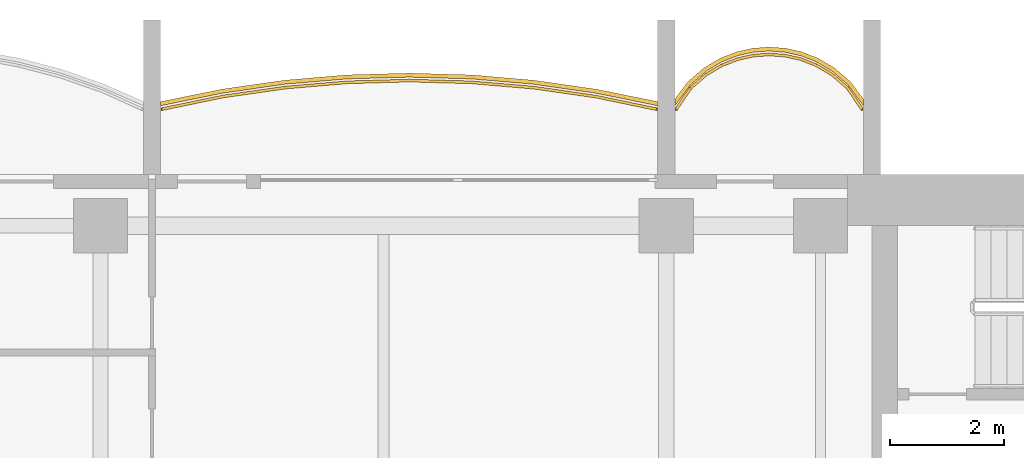
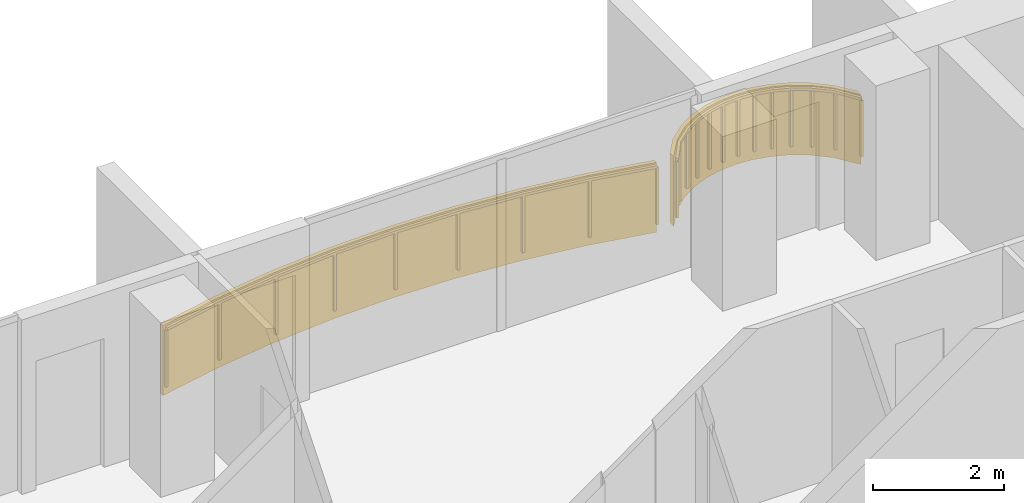
# One storey, part 17 of 17: 2 coverings, 2 railings.
"""IFC4 building model written with IfcOpenShell, lengths in metres."""

from ifc_helpers import new_model, si_unit, direction, frame, origin, origin_2d, place, context, subcontext, project, spatial, polyline, rectangle, outline, extrude, material, layer, layer_set, type_object, element, save


model = new_model("IFC4")

# Units and contexts
model_context = context("Model", 3, precision=1e-05, world=origin(), true_north=direction((0.0, 1.0)))
body_context = subcontext(model_context, "Body", "Model", "MODEL_VIEW")
ifc_project = project(units=[si_unit("LENGTHUNIT", "METRE"), si_unit("AREAUNIT", "SQUARE_METRE"), si_unit("VOLUMEUNIT", "CUBIC_METRE"), si_unit("PLANEANGLEUNIT", "RADIAN"), si_unit("MASSUNIT", "GRAM", prefix="KILO")], contexts=[model_context])

# Site, building, storey
site_placement = place(None, origin())
site = spatial("IfcSite", under=ifc_project, at=site_placement, CompositionType="ELEMENT")
building_placement = place(site_placement, origin())
building = spatial("IfcBuilding", under=site, at=building_placement, Name="Perihelion Cross Residences", CompositionType="ELEMENT")
storey_placement = place(building_placement, frame((0.0, 0.0, 212.10009765625)))
storey = spatial("IfcBuildingStorey", under=building, at=storey_placement, Name="L53", CompositionType="ELEMENT", Elevation=212.10009765625)

# Coverings
ifc_material_1 = material(Name="Bronze anodised aluminium", Category="aluminium")
ifc_layer = layer(ifc_material_1, 0.070068359375)
ifc_layer_set = layer_set([ifc_layer], Name="Balcony fascia 1300")
covering_type = type_object("IfcCoveringType", Name="Balcony fascia 1300", PredefinedType="CLADDING", material=ifc_layer_set)
covering_1_placement = place(storey_placement, frame((0.0, 0.0, -0.2001953125)))
element("IfcCovering", 1, at=covering_1_placement, inside=storey, type_object=covering_type, Name="Fascia BF1 L53 east side north bay 1", PredefinedType="CLADDING", context=body_context, shape_type="SweptSolid", body=[
    extrude(outline(polyline([(21.226318359375, 10.616455078125), (20.94091796875, 10.86328125), (20.655517578125, 11.031494140625), (20.370361328125, 11.142578125), (20.085205078125, 11.206298828125), (19.800048828125, 11.22705078125), (19.514892578125, 11.206298828125), (19.229736328125, 11.142578125), (18.9443359375, 11.031494140625), (18.6591796875, 10.86328125), (18.373779296875, 10.616455078125), (18.14990234375, 10.31689453125), (18.14990234375, 10.199951171875), (18.425048828125, 10.568603515625), (18.699951171875, 10.806396484375), (18.97509765625, 10.96875), (19.25, 11.07568359375), (19.52490234375, 11.136962890625), (19.800048828125, 11.156982421875), (20.074951171875, 11.136962890625), (20.35009765625, 11.07568359375), (20.625, 10.96875), (20.89990234375, 10.806396484375), (21.175048828125, 10.568603515625), (21.449951171875, 10.199951171875), (21.449951171875, 10.31689453125), (21.226318359375, 10.616455078125)])), origin(), (0.0, 0.0, 1.0), 1.300048828125),
])
covering_2_placement = place(storey_placement, frame((0.0, 0.0, -0.2001953125)))
element("IfcCovering", 2, at=covering_2_placement, inside=storey, type_object=covering_type, Name="Fascia BF1 L53 east side north bay 2", PredefinedType="CLADDING", context=body_context, shape_type="SweptSolid", body=[
    extrude(outline(polyline([(16.7744140625, 10.4892578125), (15.682861328125, 10.645751953125), (14.591552734375, 10.739013671875), (13.5, 10.77001953125), (12.408447265625, 10.739013671875), (11.317138671875, 10.645751953125), (10.2255859375, 10.4892578125), (9.14990234375, 10.271484375), (9.14990234375, 10.199951171875), (10.237548828125, 10.42041015625), (11.324951171875, 10.576171875), (12.41259765625, 10.669189453125), (13.5, 10.699951171875), (14.58740234375, 10.669189453125), (15.675048828125, 10.576171875), (16.762451171875, 10.42041015625), (17.85009765625, 10.199951171875), (17.85009765625, 10.271484375), (16.7744140625, 10.4892578125)])), origin(), (0.0, 0.0, 1.0), 1.300048828125),
])

# Railings
ifc_material_2 = material(Name="Bronze anodised aluminium", Category="aluminium")
railing_type = type_object("IfcRailingType", Name="Balcony guard 1100", PredefinedType="GUARDRAIL", material=ifc_material_2)
railing_1_placement = place(storey_placement, frame((21.425048828125, 10.139892578125, 0.0)))
element("IfcRailing", 3, at=railing_1_placement, inside=storey, type_object=railing_type, Name="Guard GU1 L53 east side north bay 1 balcony", PredefinedType="GUARDRAIL", context=body_context, shape_type="SweptSolid", body=[
    extrude(rectangle(XDim=0.048095703125, YDim=0.048095703125, at=origin_2d()), frame((0.0, 0.0, 1.076171875), z_axis=(-0.561260132269, 0.827639452857, 0.0), x_axis=(-0.827639452857, -0.561260132269, 0.0)), (0.0, 0.0, 1.0), 0.4453125),
    extrude(rectangle(XDim=0.048095703125, YDim=0.048095703125, at=origin_2d()), frame((-0.25, 0.36865234375, 1.076171875), z_axis=(-0.756596535164, 0.653882009982, 0.0), x_axis=(-0.653882009982, -0.756596535164, 0.0)), (0.0, 0.0, 1.0), 0.36376953125),
    extrude(rectangle(XDim=0.048095703125, YDim=0.048095703125, at=origin_2d()), frame((-0.525146484375, 0.6064453125, 1.076171875), z_axis=(-0.861048292884, 0.508523192511, 0.0), x_axis=(-0.508523192511, -0.861048292884, 0.0)), (0.0, 0.0, 1.0), 0.3193359375),
    extrude(rectangle(XDim=0.048095703125, YDim=0.048095703125, at=origin_2d()), frame((-0.800048828125, 0.768798828125, 1.076171875), z_axis=(-0.931973602183, 0.362526143656, 0.0), x_axis=(-0.362526143656, -0.931973602183, 0.0)), (0.0, 0.0, 1.0), 0.294921875),
    extrude(rectangle(XDim=0.048095703125, YDim=0.048095703125, at=origin_2d()), frame((-1.074951171875, 0.875732421875, 1.076171875), z_axis=(-0.976085059389, 0.21738895289, 0.0), x_axis=(-0.21738895289, -0.976085059389, 0.0)), (0.0, 0.0, 1.0), 0.281982421875),
    extrude(rectangle(XDim=0.048095703125, YDim=0.048095703125, at=origin_2d()), frame((-1.35009765625, 0.93701171875, 1.076171875), z_axis=(-0.997358821833, 0.072631814734, 0.0), x_axis=(-0.072631814734, -0.997358821833, 0.0)), (0.0, 0.0, 1.0), 0.275634765625),
    extrude(rectangle(XDim=0.048095703125, YDim=0.048095703125, at=origin_2d()), frame((-1.625, 0.95703125, 1.076171875), z_axis=(-0.997363488337, -0.072567707226, 0.0), x_axis=(0.072567707226, -0.997363488337, 0.0)), (0.0, 0.0, 1.0), 0.27587890625),
    extrude(rectangle(XDim=0.048095703125, YDim=0.048095703125, at=origin_2d()), frame((-1.900146484375, 0.93701171875, 1.076171875), z_axis=(-0.976044077717, -0.217572880557, 0.0), x_axis=(0.217572880557, -0.976044077717, 0.0)), (0.0, 0.0, 1.0), 0.28173828125),
    extrude(rectangle(XDim=0.048095703125, YDim=0.048095703125, at=origin_2d()), frame((-2.175048828125, 0.875732421875, 1.076171875), z_axis=(-0.931973602183, -0.362526143656, 0.0), x_axis=(0.362526143656, -0.931973602183, 0.0)), (0.0, 0.0, 1.0), 0.294921875),
    extrude(rectangle(XDim=0.048095703125, YDim=0.048095703125, at=origin_2d()), frame((-2.449951171875, 0.768798828125, 1.076171875), z_axis=(-0.861245845072, -0.508188542123, 0.0), x_axis=(0.508188542123, -0.861245845072, 0.0)), (0.0, 0.0, 1.0), 0.319580078125),
    extrude(rectangle(XDim=0.048095703125, YDim=0.048095703125, at=origin_2d()), frame((-2.72509765625, 0.6064453125, 1.076171875), z_axis=(-0.756309278473, -0.654214242658, 0.0), x_axis=(0.654214242658, -0.756309278473, 0.0)), (0.0, 0.0, 1.0), 0.363525390625),
    extrude(rectangle(XDim=0.048095703125, YDim=0.048095703125, at=origin_2d()), frame((-3.0, 0.36865234375, 1.076171875), z_axis=(-0.561260132269, -0.827639452857, 0.0), x_axis=(0.827639452857, -0.561260132269, 0.0)), (0.0, 0.0, 1.0), 0.4453125),
    extrude(rectangle(XDim=0.0419921875, YDim=0.0419921875, at=origin_2d()), origin(), (0.0, 0.0, 1.0), 1.052001953125),
    extrude(rectangle(XDim=0.0419921875, YDim=0.0419921875, at=origin_2d()), frame((-0.25, 0.36865234375, 0.0)), (0.0, 0.0, 1.0), 1.052001953125),
    extrude(rectangle(XDim=0.0419921875, YDim=0.0419921875, at=origin_2d()), frame((-0.525146484375, 0.6064453125, 0.0)), (0.0, 0.0, 1.0), 1.052001953125),
    extrude(rectangle(XDim=0.0419921875, YDim=0.0419921875, at=origin_2d()), frame((-0.800048828125, 0.768798828125, 0.0)), (0.0, 0.0, 1.0), 1.052001953125),
    extrude(rectangle(XDim=0.0419921875, YDim=0.0419921875, at=origin_2d()), frame((-1.074951171875, 0.875732421875, 0.0)), (0.0, 0.0, 1.0), 1.052001953125),
    extrude(rectangle(XDim=0.0419921875, YDim=0.0419921875, at=origin_2d()), frame((-1.35009765625, 0.93701171875, 0.0)), (0.0, 0.0, 1.0), 1.052001953125),
    extrude(rectangle(XDim=0.0419921875, YDim=0.0419921875, at=origin_2d()), frame((-1.625, 0.95703125, 0.0)), (0.0, 0.0, 1.0), 1.052001953125),
    extrude(rectangle(XDim=0.0419921875, YDim=0.0419921875, at=origin_2d()), frame((-1.900146484375, 0.93701171875, 0.0)), (0.0, 0.0, 1.0), 1.052001953125),
    extrude(rectangle(XDim=0.0419921875, YDim=0.0419921875, at=origin_2d()), frame((-2.175048828125, 0.875732421875, 0.0)), (0.0, 0.0, 1.0), 1.052001953125),
    extrude(rectangle(XDim=0.0419921875, YDim=0.0419921875, at=origin_2d()), frame((-2.449951171875, 0.768798828125, 0.0)), (0.0, 0.0, 1.0), 1.052001953125),
    extrude(rectangle(XDim=0.0419921875, YDim=0.0419921875, at=origin_2d()), frame((-2.72509765625, 0.6064453125, 0.0)), (0.0, 0.0, 1.0), 1.052001953125),
    extrude(rectangle(XDim=0.0419921875, YDim=0.0419921875, at=origin_2d()), frame((-3.0, 0.36865234375, 0.0)), (0.0, 0.0, 1.0), 1.052001953125),
    extrude(rectangle(XDim=0.0419921875, YDim=0.0419921875, at=origin_2d()), frame((-3.25, 0.0, 0.0)), (0.0, 0.0, 1.0), 1.052001953125),
])
railing_2_placement = place(storey_placement, frame((17.824951171875, 10.139892578125, 0.0)))
element("IfcRailing", 4, at=railing_2_placement, inside=storey, type_object=railing_type, Name="Guard GU1 L53 east side north bay 2 balcony", PredefinedType="GUARDRAIL", context=body_context, shape_type="SweptSolid", body=[
    extrude(rectangle(XDim=0.048095703125, YDim=0.048095703125, at=origin_2d()), frame((0.0, 0.0, 1.076171875), z_axis=(-0.979144816647, 0.203163549961, 0.0), x_axis=(-0.203163549961, -0.979144816647, 0.0)), (0.0, 0.0, 1.0), 1.085205078125),
    extrude(rectangle(XDim=0.048095703125, YDim=0.048095703125, at=origin_2d()), frame((-1.0625, 0.220458984375, 1.076171875), z_axis=(-0.98989608354, 0.141794724135, 0.0), x_axis=(-0.141794724135, -0.98989608354, 0.0)), (0.0, 0.0, 1.0), 1.098388671875),
    extrude(rectangle(XDim=0.048095703125, YDim=0.048095703125, at=origin_2d()), frame((-2.14990234375, 0.376220703125, 1.076171875), z_axis=(-0.996362942492, 0.085210837506, 0.0), x_axis=(-0.085210837506, -0.996362942492, 0.0)), (0.0, 0.0, 1.0), 1.091552734375),
    extrude(rectangle(XDim=0.048095703125, YDim=0.048095703125, at=origin_2d()), frame((-3.237548828125, 0.46923828125, 1.076171875), z_axis=(-0.999600101203, 0.028277865458, 0.0), x_axis=(-0.028277865458, -0.999600101203, 0.0)), (0.0, 0.0, 1.0), 1.087890625),
    extrude(rectangle(XDim=0.048095703125, YDim=0.048095703125, at=origin_2d()), frame((-4.324951171875, 0.5, 1.076171875), z_axis=(-0.999600101203, -0.028277865458, 0.0), x_axis=(0.028277865458, -0.999600101203, 0.0)), (0.0, 0.0, 1.0), 1.087890625),
    extrude(rectangle(XDim=0.048095703125, YDim=0.048095703125, at=origin_2d()), frame((-5.412353515625, 0.46923828125, 1.076171875), z_axis=(-0.996362942492, -0.085210837506, 0.0), x_axis=(0.085210837506, -0.996362942492, 0.0)), (0.0, 0.0, 1.0), 1.091552734375),
    extrude(rectangle(XDim=0.048095703125, YDim=0.048095703125, at=origin_2d()), frame((-6.5, 0.376220703125, 1.076171875), z_axis=(-0.98989608354, -0.141794724135, 0.0), x_axis=(0.141794724135, -0.98989608354, 0.0)), (0.0, 0.0, 1.0), 1.098388671875),
    extrude(rectangle(XDim=0.048095703125, YDim=0.048095703125, at=origin_2d()), frame((-7.58740234375, 0.220458984375, 1.076171875), z_axis=(-0.979144816647, -0.203163549961, 0.0), x_axis=(0.203163549961, -0.979144816647, 0.0)), (0.0, 0.0, 1.0), 1.085205078125),
    extrude(rectangle(XDim=0.0419921875, YDim=0.0419921875, at=origin_2d()), origin(), (0.0, 0.0, 1.0), 1.052001953125),
    extrude(rectangle(XDim=0.0419921875, YDim=0.0419921875, at=origin_2d()), frame((-1.0625, 0.220458984375, 0.0)), (0.0, 0.0, 1.0), 1.052001953125),
    extrude(rectangle(XDim=0.0419921875, YDim=0.0419921875, at=origin_2d()), frame((-2.14990234375, 0.376220703125, 0.0)), (0.0, 0.0, 1.0), 1.052001953125),
    extrude(rectangle(XDim=0.0419921875, YDim=0.0419921875, at=origin_2d()), frame((-3.237548828125, 0.46923828125, 0.0)), (0.0, 0.0, 1.0), 1.052001953125),
    extrude(rectangle(XDim=0.0419921875, YDim=0.0419921875, at=origin_2d()), frame((-4.324951171875, 0.5, 0.0)), (0.0, 0.0, 1.0), 1.052001953125),
    extrude(rectangle(XDim=0.0419921875, YDim=0.0419921875, at=origin_2d()), frame((-5.412353515625, 0.46923828125, 0.0)), (0.0, 0.0, 1.0), 1.052001953125),
    extrude(rectangle(XDim=0.0419921875, YDim=0.0419921875, at=origin_2d()), frame((-6.5, 0.376220703125, 0.0)), (0.0, 0.0, 1.0), 1.052001953125),
    extrude(rectangle(XDim=0.0419921875, YDim=0.0419921875, at=origin_2d()), frame((-7.58740234375, 0.220458984375, 0.0)), (0.0, 0.0, 1.0), 1.052001953125),
    extrude(rectangle(XDim=0.0419921875, YDim=0.0419921875, at=origin_2d()), frame((-8.64990234375, 0.0, 0.0)), (0.0, 0.0, 1.0), 1.052001953125),
])

save(model, "model.ifc")
